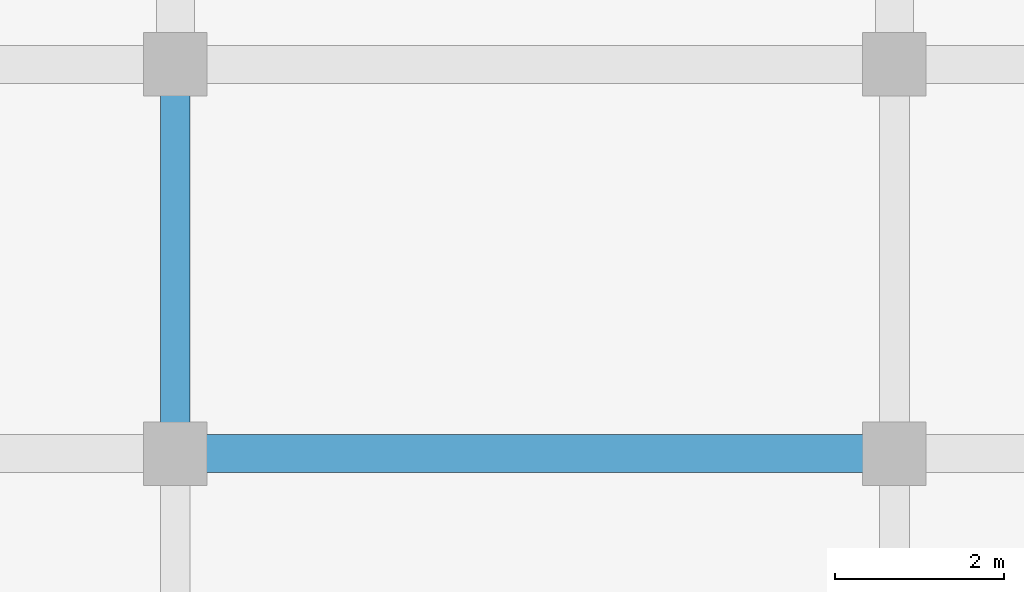
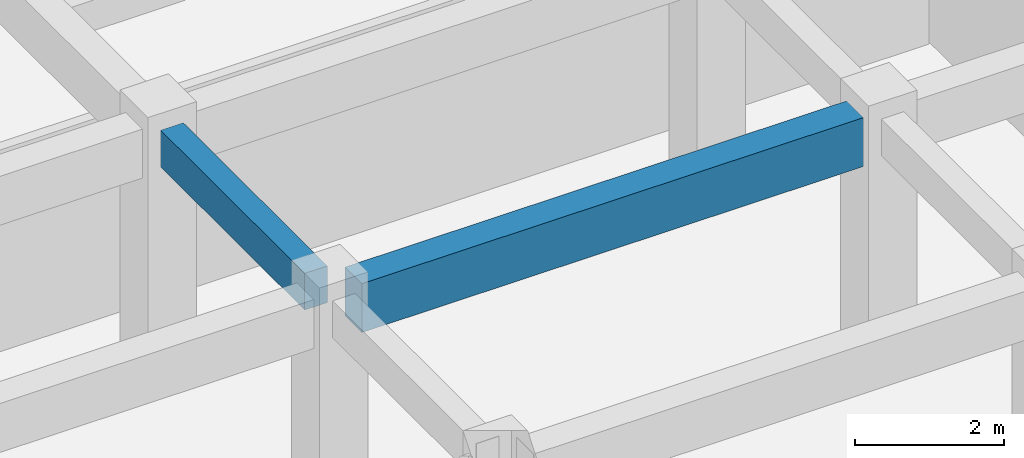
# One storey, part 30 of 90: 2 beams.
"""IFC4 building model written with IfcOpenShell, lengths in metres."""

from ifc_helpers import new_model, si_unit, direction, frame, origin, origin_2d, place, context, subcontext, project, spatial, rectangle, extrude, material, material_profile, profile_set, type_object, element, save


model = new_model("IFC4")

# Units and contexts
model_context = context("Model", 3, precision=1e-05, world=origin(), true_north=direction((0.0, 1.0)))
body_context = subcontext(model_context, "Body", "Model", "MODEL_VIEW")
ifc_project = project(units=[si_unit("LENGTHUNIT", "METRE"), si_unit("AREAUNIT", "SQUARE_METRE"), si_unit("VOLUMEUNIT", "CUBIC_METRE"), si_unit("PLANEANGLEUNIT", "RADIAN"), si_unit("MASSUNIT", "GRAM", prefix="KILO")], contexts=[model_context])

# Site, building, storey
site_placement = place(None, origin())
site = spatial("IfcSite", under=ifc_project, at=site_placement, CompositionType="ELEMENT")
building_placement = place(site_placement, origin())
building = spatial("IfcBuilding", under=site, at=building_placement, Name="Muzn Square Opera House", CompositionType="ELEMENT")
storey_placement = place(building_placement, frame((0.0, 0.0, 9.800048828125)))
storey = spatial("IfcBuildingStorey", under=building, at=storey_placement, Name="L02", CompositionType="ELEMENT", Elevation=9.800048828125)

# Beams
ifc_material = material(Name="Concrete C40/50", Category="concrete")
ifc_material_profile_1 = material_profile(ifc_material, rectangle(XDim=0.35009765625, YDim=0.60009765625, at=origin_2d()), Name="RCB 350x600", Category="concrete")
ifc_profile_set_1 = profile_set([ifc_material_profile_1], Name="Concrete C40/50")
beam_type_1 = type_object("IfcBeamType", Name="Primary Girder 350x600", PredefinedType="BEAM", material=ifc_profile_set_1)
beam_1_placement = place(storey_placement, frame((26.5, 68.366943359375, 3.820068359375), z_axis=(0.0, 1.0, 0.0), x_axis=(-1.0, 0.0, 0.0)))
element("IfcBeam", 1, at=beam_1_placement, inside=storey, type_object=beam_type_1, Name="Primary Girder BM-L02-BM-PG600-265_684_265_722-2137", PredefinedType="BEAM", context=body_context, shape_type="SweptSolid", body=[
    extrude(rectangle(XDim=0.35009765625, YDim=0.60009765625, at=origin_2d()), origin(), (0.0, 0.0, 1.0), 3.865966796875),
])
ifc_material_profile_2 = material_profile(ifc_material, rectangle(XDim=0.449951171875, YDim=0.800048828125, at=origin_2d()), Name="RCB 450x800", Category="concrete")
ifc_profile_set_2 = profile_set([ifc_material_profile_2], Name="Concrete C40/50")
beam_type_2 = type_object("IfcBeamType", Name="Primary Girder 450x800", PredefinedType="BEAM", material=ifc_profile_set_2)
beam_2_placement = place(storey_placement, frame((26.866943359375, 68.0, 3.719970703125), z_axis=(1.0, 0.0, 0.0), x_axis=(0.0, 1.0, 0.0)))
element("IfcBeam", 2, at=beam_2_placement, inside=storey, type_object=beam_type_2, Name="Primary Girder BM-L02-BM-PG800-269_680_346_680-2036", PredefinedType="BEAM", context=body_context, shape_type="SweptSolid", body=[
    extrude(rectangle(XDim=0.449951171875, YDim=0.800048828125, at=origin_2d()), origin(), (0.0, 0.0, 1.0), 7.76611328125),
])

save(model, "model.ifc")
